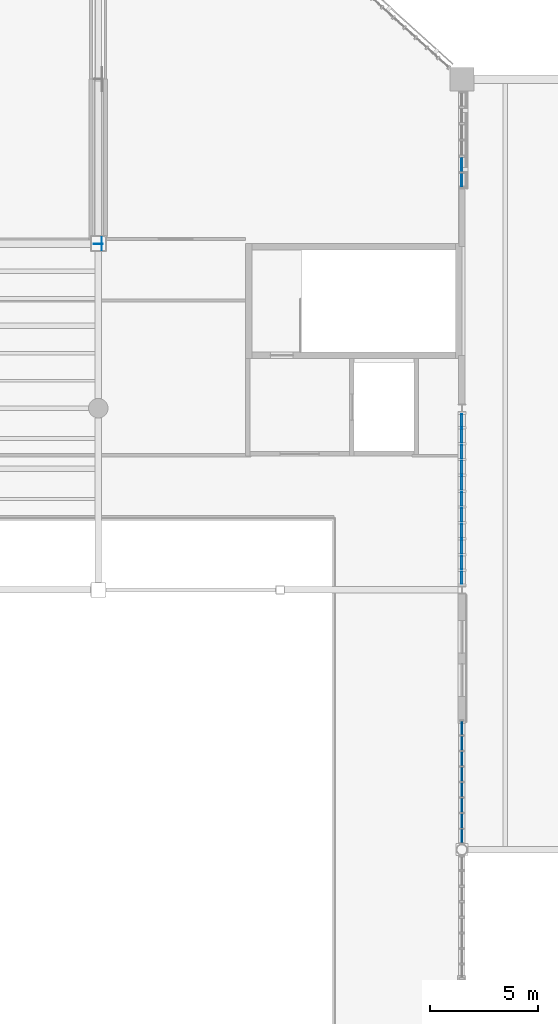
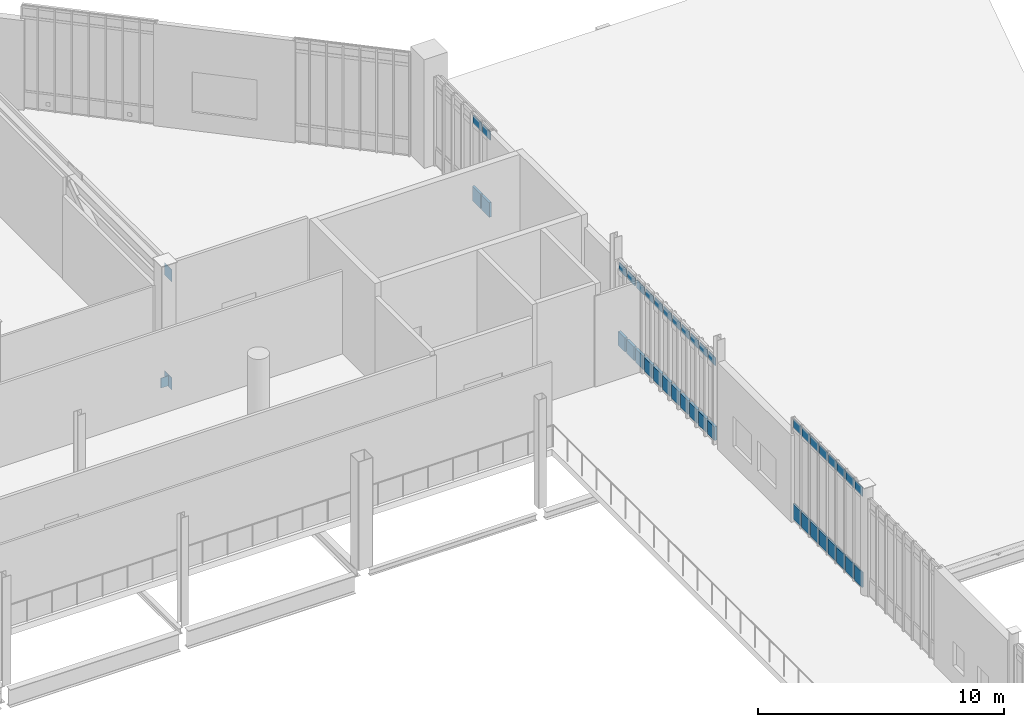
# One storey, part 101 of 135: 45 plates, 3 elements without a shape of their own.
"""IFC4 building model written with IfcOpenShell, lengths in metres."""

from ifc_helpers import new_model, si_unit, direction, frame, origin, origin_2d, place, context, subcontext, project, spatial, rectangle, extrude, material, layer, layer_set, type_object, element, aggregate, save


model = new_model("IFC4")

# Units and contexts
model_context = context("Model", 3, precision=1e-05, world=origin(), true_north=direction((0.0, 1.0)))
body_context = subcontext(model_context, "Body", "Model", "MODEL_VIEW")
ifc_project = project(units=[si_unit("LENGTHUNIT", "METRE"), si_unit("AREAUNIT", "SQUARE_METRE"), si_unit("VOLUMEUNIT", "CUBIC_METRE"), si_unit("PLANEANGLEUNIT", "RADIAN"), si_unit("MASSUNIT", "GRAM", prefix="KILO")], contexts=[model_context])

# Site, building, storey
site_placement = place(None, origin())
site = spatial("IfcSite", under=ifc_project, at=site_placement, CompositionType="ELEMENT")
building_placement = place(site_placement, origin())
building = spatial("IfcBuilding", under=site, at=building_placement, Name="Larkvane Passage Sports Hall", CompositionType="ELEMENT")
storey_placement = place(building_placement, frame((0.0, 0.0, 16.800048828125)))
storey = spatial("IfcBuildingStorey", under=building, at=storey_placement, Name="L03", CompositionType="ELEMENT", Elevation=16.800048828125)

# Curtain wall, plates
ifc_material_1 = material(Name="Thermally broken aluminium and low-E glazing", Category="aluminium")
curtain_wall_type_1 = type_object("IfcCurtainWallType", Name="CW-STICK-FOYER", PredefinedType="USERDEFINED", material=ifc_material_1)
curtain_wall_1_placement = place(storey_placement, origin())
curtain_wall_1 = element("IfcCurtainWall", 1, at=curtain_wall_1_placement, inside=storey, type_object=curtain_wall_type_1, Name="Curtain wall CW5-L03-142", ObjectType="STICK CURTAIN WALL", PredefinedType="USERDEFINED")
ifc_material_2 = material(Name="Fire-stopped shadow-box spandrel panel")
ifc_layer_1 = layer(ifc_material_2, 0.10498046875)
ifc_layer_set_1 = layer_set([ifc_layer_1], Name="Fire-stopped shadow-box spandrel panel")
plate_type_1 = type_object("IfcPlateType", Name="CWP-SPD-105", PredefinedType="CURTAIN_PANEL", material=ifc_layer_set_1)
plate_1_placement = place(storey_placement, frame((93.60009765625, 95.263427734375, 0.080078125), z_axis=(0.0, 0.0, 1.0), x_axis=(0.0, -1.0, 0.0)))
plate_1 = element("IfcPlate", 2, at=plate_1_placement, type_object=plate_type_1, Name="CW-03 panel 5.1", PredefinedType="CURTAIN_PANEL", context=body_context, shape_type="SweptSolid", body=[
    extrude(rectangle(XDim=0.67333984375, YDim=0.10498046875, at=origin_2d()), origin(), (0.0, 0.0, 1.0), 0.72998046875),
])
plate_2_placement = place(storey_placement, frame((93.60009765625, 94.530029296875, 0.080078125), z_axis=(0.0, 0.0, 1.0), x_axis=(0.0, -1.0, 0.0)))
plate_2 = element("IfcPlate", 3, at=plate_2_placement, type_object=plate_type_1, Name="CW-03 panel 6.1", PredefinedType="CURTAIN_PANEL", context=body_context, shape_type="SweptSolid", body=[
    extrude(rectangle(XDim=0.633544921875, YDim=0.10498046875, at=origin_2d()), origin(), (0.0, 0.0, 1.0), 0.72998046875),
])

curtain_wall_type_2 = type_object("IfcCurtainWallType", Name="CW-CLINIC", PredefinedType="USERDEFINED", material=ifc_material_1)
curtain_wall_2_placement = place(storey_placement, origin())
curtain_wall_2 = element("IfcCurtainWall", 4, at=curtain_wall_2_placement, inside=storey, type_object=curtain_wall_type_2, Name="Curtain wall CW5-L03-143", ObjectType="UNITISED CURTAIN WALL", PredefinedType="USERDEFINED")
ifc_material_3 = material(Name="Deep insulated facade spandrel panel")
ifc_layer_2 = layer(ifc_material_3, 0.125)
ifc_layer_set_2 = layer_set([ifc_layer_2], Name="Deep insulated facade spandrel panel")
plate_type_2 = type_object("IfcPlateType", Name="CWP-SPD-125", PredefinedType="CURTAIN_PANEL", material=ifc_layer_set_2)
plate_3_placement = place(storey_placement, frame((93.60009765625, 83.435302734375, 0.10986328125), z_axis=(0.0, 0.0, 1.0), x_axis=(0.0, -1.0, 0.0)))
plate_3 = element("IfcPlate", 5, at=plate_3_placement, type_object=plate_type_2, Name="CW-05 panel 1.1", PredefinedType="CURTAIN_PANEL", context=body_context, shape_type="SweptSolid", body=[
    extrude(rectangle(XDim=0.567626953125, YDim=0.125, at=origin_2d()), origin(), (0.0, 0.0, 1.0), 0.68505859375),
])
plate_4_placement = place(storey_placement, frame((93.60009765625, 82.730224609375, 0.10986328125), z_axis=(0.0, 0.0, 1.0), x_axis=(0.0, -1.0, 0.0)))
plate_4 = element("IfcPlate", 6, at=plate_4_placement, type_object=plate_type_2, Name="CW-05 panel 2.1", PredefinedType="CURTAIN_PANEL", context=body_context, shape_type="SweptSolid", body=[
    extrude(rectangle(XDim=0.62255859375, YDim=0.125, at=origin_2d()), origin(), (0.0, 0.0, 1.0), 0.68505859375),
])
plate_5_placement = place(storey_placement, frame((93.60009765625, 81.99755859375, 0.10986328125), z_axis=(0.0, 0.0, 1.0), x_axis=(0.0, -1.0, 0.0)))
plate_5 = element("IfcPlate", 7, at=plate_5_placement, type_object=plate_type_2, Name="CW-05 panel 3.1", PredefinedType="CURTAIN_PANEL", context=body_context, shape_type="SweptSolid", body=[
    extrude(rectangle(XDim=0.62255859375, YDim=0.125, at=origin_2d()), origin(), (0.0, 0.0, 1.0), 0.68505859375),
])
plate_6_placement = place(storey_placement, frame((93.60009765625, 81.26513671875, 0.10986328125), z_axis=(0.0, 0.0, 1.0), x_axis=(0.0, -1.0, 0.0)))
plate_6 = element("IfcPlate", 8, at=plate_6_placement, type_object=plate_type_2, Name="CW-05 panel 4.1", PredefinedType="CURTAIN_PANEL", context=body_context, shape_type="SweptSolid", body=[
    extrude(rectangle(XDim=0.62255859375, YDim=0.125, at=origin_2d()), origin(), (0.0, 0.0, 1.0), 0.68505859375),
])
plate_7_placement = place(storey_placement, frame((93.60009765625, 80.532470703125, 0.10986328125), z_axis=(0.0, 0.0, 1.0), x_axis=(0.0, -1.0, 0.0)))
plate_7 = element("IfcPlate", 9, at=plate_7_placement, type_object=plate_type_2, Name="CW-05 panel 5.1", PredefinedType="CURTAIN_PANEL", context=body_context, shape_type="SweptSolid", body=[
    extrude(rectangle(XDim=0.62255859375, YDim=0.125, at=origin_2d()), origin(), (0.0, 0.0, 1.0), 0.68505859375),
])
plate_8_placement = place(storey_placement, frame((93.60009765625, 79.800048828125, 0.10986328125), z_axis=(0.0, 0.0, 1.0), x_axis=(0.0, -1.0, 0.0)))
plate_8 = element("IfcPlate", 10, at=plate_8_placement, type_object=plate_type_2, Name="CW-05 panel 6.1", PredefinedType="CURTAIN_PANEL", context=body_context, shape_type="SweptSolid", body=[
    extrude(rectangle(XDim=0.62255859375, YDim=0.125, at=origin_2d()), origin(), (0.0, 0.0, 1.0), 0.68505859375),
])
plate_9_placement = place(storey_placement, frame((93.60009765625, 79.0673828125, 0.10986328125), z_axis=(0.0, 0.0, 1.0), x_axis=(0.0, -1.0, 0.0)))
plate_9 = element("IfcPlate", 11, at=plate_9_placement, type_object=plate_type_2, Name="CW-05 panel 7.1", PredefinedType="CURTAIN_PANEL", context=body_context, shape_type="SweptSolid", body=[
    extrude(rectangle(XDim=0.62255859375, YDim=0.125, at=origin_2d()), origin(), (0.0, 0.0, 1.0), 0.68505859375),
])
plate_10_placement = place(storey_placement, frame((93.60009765625, 78.3349609375, 0.10986328125), z_axis=(0.0, 0.0, 1.0), x_axis=(0.0, -1.0, 0.0)))
plate_10 = element("IfcPlate", 12, at=plate_10_placement, type_object=plate_type_2, Name="CW-05 panel 8.1", PredefinedType="CURTAIN_PANEL", context=body_context, shape_type="SweptSolid", body=[
    extrude(rectangle(XDim=0.62255859375, YDim=0.125, at=origin_2d()), origin(), (0.0, 0.0, 1.0), 0.68505859375),
])
plate_11_placement = place(storey_placement, frame((93.60009765625, 77.602294921875, 0.10986328125), z_axis=(0.0, 0.0, 1.0), x_axis=(0.0, -1.0, 0.0)))
plate_11 = element("IfcPlate", 13, at=plate_11_placement, type_object=plate_type_2, Name="CW-05 panel 9.1", PredefinedType="CURTAIN_PANEL", context=body_context, shape_type="SweptSolid", body=[
    extrude(rectangle(XDim=0.62255859375, YDim=0.125, at=origin_2d()), origin(), (0.0, 0.0, 1.0), 0.68505859375),
])
plate_12_placement = place(storey_placement, frame((93.60009765625, 76.869873046875, 0.10986328125), z_axis=(0.0, 0.0, 1.0), x_axis=(0.0, -1.0, 0.0)))
plate_12 = element("IfcPlate", 14, at=plate_12_placement, type_object=plate_type_2, Name="CW-05 panel 10.1", PredefinedType="CURTAIN_PANEL", context=body_context, shape_type="SweptSolid", body=[
    extrude(rectangle(XDim=0.62255859375, YDim=0.125, at=origin_2d()), origin(), (0.0, 0.0, 1.0), 0.68505859375),
])
plate_13_placement = place(storey_placement, frame((93.60009765625, 76.164794921875, 0.10986328125), z_axis=(0.0, 0.0, 1.0), x_axis=(0.0, -1.0, 0.0)))
plate_13 = element("IfcPlate", 15, at=plate_13_placement, type_object=plate_type_2, Name="CW-05 panel 11.1", PredefinedType="CURTAIN_PANEL", context=body_context, shape_type="SweptSolid", body=[
    extrude(rectangle(XDim=0.567626953125, YDim=0.125, at=origin_2d()), origin(), (0.0, 0.0, 1.0), 0.68505859375),
])

curtain_wall_type_3 = type_object("IfcCurtainWallType", Name="CW-UNIT-COURT", PredefinedType="USERDEFINED", material=ifc_material_1)
curtain_wall_3_placement = place(storey_placement, origin())
curtain_wall_3 = element("IfcCurtainWall", 16, at=curtain_wall_3_placement, inside=storey, type_object=curtain_wall_type_3, Name="Curtain wall CW5-L03-144", ObjectType="UNITISED CURTAIN WALL", PredefinedType="USERDEFINED")
ifc_material_4 = material(Name="Insulated aluminium spandrel panel", Category="aluminium")
ifc_layer_3 = layer(ifc_material_4, 0.06494140625)
ifc_layer_set_3 = layer_set([ifc_layer_3], Name="Insulated aluminium spandrel panel")
plate_type_3 = type_object("IfcPlateType", Name="CWP-SPD-65", PredefinedType="CURTAIN_PANEL", material=ifc_layer_set_3)
plate_14_placement = place(storey_placement, frame((93.60009765625, 69.224365234375, 0.06494140625), z_axis=(0.0, 0.0, 1.0), x_axis=(0.0, -1.0, 0.0)))
plate_14 = element("IfcPlate", 17, at=plate_14_placement, type_object=plate_type_3, Name="CW-01 panel 1.1", PredefinedType="CURTAIN_PANEL", context=body_context, shape_type="SweptSolid", body=[
    extrude(rectangle(XDim=0.621337890625, YDim=0.06494140625, at=origin_2d()), origin(), (0.0, 0.0, 1.0), 0.75244140625),
])
plate_15_placement = place(storey_placement, frame((93.60009765625, 68.52197265625, 0.06494140625), z_axis=(0.0, 0.0, 1.0), x_axis=(0.0, -1.0, 0.0)))
plate_15 = element("IfcPlate", 18, at=plate_15_placement, type_object=plate_type_3, Name="CW-01 panel 2.1", PredefinedType="CURTAIN_PANEL", context=body_context, shape_type="SweptSolid", body=[
    extrude(rectangle(XDim=0.65380859375, YDim=0.06494140625, at=origin_2d()), origin(), (0.0, 0.0, 1.0), 0.75244140625),
])
plate_16_placement = place(storey_placement, frame((93.60009765625, 67.80322265625, 0.06494140625), z_axis=(0.0, 0.0, 1.0), x_axis=(0.0, -1.0, 0.0)))
plate_16 = element("IfcPlate", 19, at=plate_16_placement, type_object=plate_type_3, Name="CW-01 panel 3.1", PredefinedType="CURTAIN_PANEL", context=body_context, shape_type="SweptSolid", body=[
    extrude(rectangle(XDim=0.65380859375, YDim=0.06494140625, at=origin_2d()), origin(), (0.0, 0.0, 1.0), 0.75244140625),
])
plate_17_placement = place(storey_placement, frame((93.60009765625, 67.08447265625, 0.06494140625), z_axis=(0.0, 0.0, 1.0), x_axis=(0.0, -1.0, 0.0)))
plate_17 = element("IfcPlate", 20, at=plate_17_placement, type_object=plate_type_3, Name="CW-01 panel 4.1", PredefinedType="CURTAIN_PANEL", context=body_context, shape_type="SweptSolid", body=[
    extrude(rectangle(XDim=0.65380859375, YDim=0.06494140625, at=origin_2d()), origin(), (0.0, 0.0, 1.0), 0.75244140625),
])
plate_18_placement = place(storey_placement, frame((93.60009765625, 66.36572265625, 0.06494140625), z_axis=(0.0, 0.0, 1.0), x_axis=(0.0, -1.0, 0.0)))
plate_18 = element("IfcPlate", 21, at=plate_18_placement, type_object=plate_type_3, Name="CW-01 panel 5.1", PredefinedType="CURTAIN_PANEL", context=body_context, shape_type="SweptSolid", body=[
    extrude(rectangle(XDim=0.65380859375, YDim=0.06494140625, at=origin_2d()), origin(), (0.0, 0.0, 1.0), 0.75244140625),
])
plate_19_placement = place(storey_placement, frame((93.60009765625, 65.64697265625, 0.06494140625), z_axis=(0.0, 0.0, 1.0), x_axis=(0.0, -1.0, 0.0)))
plate_19 = element("IfcPlate", 22, at=plate_19_placement, type_object=plate_type_3, Name="CW-01 panel 6.1", PredefinedType="CURTAIN_PANEL", context=body_context, shape_type="SweptSolid", body=[
    extrude(rectangle(XDim=0.65380859375, YDim=0.06494140625, at=origin_2d()), origin(), (0.0, 0.0, 1.0), 0.75244140625),
])
plate_20_placement = place(storey_placement, frame((93.60009765625, 64.92822265625, 0.06494140625), z_axis=(0.0, 0.0, 1.0), x_axis=(0.0, -1.0, 0.0)))
plate_20 = element("IfcPlate", 23, at=plate_20_placement, type_object=plate_type_3, Name="CW-01 panel 7.1", PredefinedType="CURTAIN_PANEL", context=body_context, shape_type="SweptSolid", body=[
    extrude(rectangle(XDim=0.65380859375, YDim=0.06494140625, at=origin_2d()), origin(), (0.0, 0.0, 1.0), 0.75244140625),
])
plate_21_placement = place(storey_placement, frame((93.60009765625, 64.2255859375, 0.06494140625), z_axis=(0.0, 0.0, 1.0), x_axis=(0.0, -1.0, 0.0)))
plate_21 = element("IfcPlate", 24, at=plate_21_placement, type_object=plate_type_3, Name="CW-01 panel 8.1", PredefinedType="CURTAIN_PANEL", context=body_context, shape_type="SweptSolid", body=[
    extrude(rectangle(XDim=0.621337890625, YDim=0.06494140625, at=origin_2d()), origin(), (0.0, 0.0, 1.0), 0.75244140625),
])
ifc_material_5 = material(Name="Solar-control low-E double glazing", Category="glass")
ifc_layer_4 = layer(ifc_material_5, 0.028076171875)
ifc_layer_set_4 = layer_set([ifc_layer_4], Name="Solar-control low-E double glazing")
plate_type_4 = type_object("IfcPlateType", Name="CWP-VIS-28", PredefinedType="CURTAIN_PANEL", material=ifc_layer_set_4)
plate_22_placement = place(storey_placement, frame((93.60009765625, 69.224365234375, 4.58251953125), z_axis=(0.0, 0.0, 1.0), x_axis=(0.0, -1.0, 0.0)))
plate_22 = element("IfcPlate", 25, at=plate_22_placement, type_object=plate_type_4, Name="CW-01 panel 1.3", PredefinedType="CURTAIN_PANEL", context=body_context, shape_type="SweptSolid", body=[
    extrude(rectangle(XDim=0.621337890625, YDim=0.028076171875, at=origin_2d()), origin(), (0.0, 0.0, 1.0), 0.452392578125),
])
plate_23_placement = place(storey_placement, frame((93.60009765625, 68.52197265625, 4.58251953125), z_axis=(0.0, 0.0, 1.0), x_axis=(0.0, -1.0, 0.0)))
plate_23 = element("IfcPlate", 26, at=plate_23_placement, type_object=plate_type_4, Name="CW-01 panel 2.3", PredefinedType="CURTAIN_PANEL", context=body_context, shape_type="SweptSolid", body=[
    extrude(rectangle(XDim=0.65380859375, YDim=0.028076171875, at=origin_2d()), origin(), (0.0, 0.0, 1.0), 0.452392578125),
])
plate_24_placement = place(storey_placement, frame((93.60009765625, 67.80322265625, 4.58251953125), z_axis=(0.0, 0.0, 1.0), x_axis=(0.0, -1.0, 0.0)))
plate_24 = element("IfcPlate", 27, at=plate_24_placement, type_object=plate_type_4, Name="CW-01 panel 3.3", PredefinedType="CURTAIN_PANEL", context=body_context, shape_type="SweptSolid", body=[
    extrude(rectangle(XDim=0.65380859375, YDim=0.028076171875, at=origin_2d()), origin(), (0.0, 0.0, 1.0), 0.452392578125),
])
plate_25_placement = place(storey_placement, frame((93.60009765625, 67.08447265625, 4.58251953125), z_axis=(0.0, 0.0, 1.0), x_axis=(0.0, -1.0, 0.0)))
plate_25 = element("IfcPlate", 28, at=plate_25_placement, type_object=plate_type_4, Name="CW-01 panel 4.3", PredefinedType="CURTAIN_PANEL", context=body_context, shape_type="SweptSolid", body=[
    extrude(rectangle(XDim=0.65380859375, YDim=0.028076171875, at=origin_2d()), origin(), (0.0, 0.0, 1.0), 0.452392578125),
])
plate_26_placement = place(storey_placement, frame((93.60009765625, 66.36572265625, 4.58251953125), z_axis=(0.0, 0.0, 1.0), x_axis=(0.0, -1.0, 0.0)))
plate_26 = element("IfcPlate", 29, at=plate_26_placement, type_object=plate_type_4, Name="CW-01 panel 5.3", PredefinedType="CURTAIN_PANEL", context=body_context, shape_type="SweptSolid", body=[
    extrude(rectangle(XDim=0.65380859375, YDim=0.028076171875, at=origin_2d()), origin(), (0.0, 0.0, 1.0), 0.452392578125),
])
plate_27_placement = place(storey_placement, frame((93.60009765625, 65.64697265625, 4.58251953125), z_axis=(0.0, 0.0, 1.0), x_axis=(0.0, -1.0, 0.0)))
plate_27 = element("IfcPlate", 30, at=plate_27_placement, type_object=plate_type_4, Name="CW-01 panel 6.3", PredefinedType="CURTAIN_PANEL", context=body_context, shape_type="SweptSolid", body=[
    extrude(rectangle(XDim=0.65380859375, YDim=0.028076171875, at=origin_2d()), origin(), (0.0, 0.0, 1.0), 0.452392578125),
])
plate_28_placement = place(storey_placement, frame((93.60009765625, 64.92822265625, 4.58251953125), z_axis=(0.0, 0.0, 1.0), x_axis=(0.0, -1.0, 0.0)))
plate_28 = element("IfcPlate", 31, at=plate_28_placement, type_object=plate_type_4, Name="CW-01 panel 7.3", PredefinedType="CURTAIN_PANEL", context=body_context, shape_type="SweptSolid", body=[
    extrude(rectangle(XDim=0.65380859375, YDim=0.028076171875, at=origin_2d()), origin(), (0.0, 0.0, 1.0), 0.452392578125),
])
plate_29_placement = place(storey_placement, frame((93.60009765625, 64.2255859375, 4.58251953125), z_axis=(0.0, 0.0, 1.0), x_axis=(0.0, -1.0, 0.0)))
plate_29 = element("IfcPlate", 32, at=plate_29_placement, type_object=plate_type_4, Name="CW-01 panel 8.3", PredefinedType="CURTAIN_PANEL", context=body_context, shape_type="SweptSolid", body=[
    extrude(rectangle(XDim=0.621337890625, YDim=0.028076171875, at=origin_2d()), origin(), (0.0, 0.0, 1.0), 0.452392578125),
])
aggregate(curtain_wall_3, [plate_14, plate_22, plate_15, plate_23, plate_16, plate_24, plate_17, plate_25, plate_18, plate_26, plate_19, plate_27, plate_20, plate_28, plate_21, plate_29])

# Plate
ifc_material_6 = material(Name="High-impact court low-E glazing", Category="glass")
ifc_layer_5 = layer(ifc_material_6, 0.035888671875)
ifc_layer_set_5 = layer_set([ifc_layer_5], Name="High-impact court low-E glazing")
plate_type_5 = type_object("IfcPlateType", Name="CWP-VIS-36", PredefinedType="CURTAIN_PANEL", material=ifc_layer_set_5)
plate_30_placement = place(storey_placement, frame((93.60009765625, 95.263427734375, 3.89794921875), z_axis=(0.0, 0.0, 1.0), x_axis=(0.0, -1.0, 0.0)))
plate_30 = element("IfcPlate", 33, at=plate_30_placement, type_object=plate_type_5, Name="CW-03 panel 5.3", PredefinedType="CURTAIN_PANEL", context=body_context, shape_type="SweptSolid", body=[
    extrude(rectangle(XDim=0.67333984375, YDim=0.035888671875, at=origin_2d()), origin(), (0.0, 0.0, 1.0), 0.429931640625),
])

plate_31_placement = place(storey_placement, frame((93.60009765625, 94.530029296875, 3.89794921875), z_axis=(0.0, 0.0, 1.0), x_axis=(0.0, -1.0, 0.0)))
plate_31 = element("IfcPlate", 34, at=plate_31_placement, type_object=plate_type_5, Name="CW-03 panel 6.3", PredefinedType="CURTAIN_PANEL", context=body_context, shape_type="SweptSolid", body=[
    extrude(rectangle(XDim=0.633544921875, YDim=0.035888671875, at=origin_2d()), origin(), (0.0, 0.0, 1.0), 0.429931640625),
])

aggregate(curtain_wall_1, [plate_1, plate_30, plate_2, plate_31])

ifc_material_7 = material(Name="Triple-laminated typhoon glazing", Category="glass")
ifc_layer_6 = layer(ifc_material_7, 0.0419921875)
ifc_layer_set_6 = layer_set([ifc_layer_6], Name="Triple-laminated typhoon glazing")
plate_type_6 = type_object("IfcPlateType", Name="CWP-VIS-42", PredefinedType="CURTAIN_PANEL", material=ifc_layer_set_6)
plate_32_placement = place(storey_placement, frame((93.60009765625, 83.435302734375, 3.82080078125), z_axis=(0.0, 0.0, 1.0), x_axis=(0.0, -1.0, 0.0)))
plate_32 = element("IfcPlate", 35, at=plate_32_placement, type_object=plate_type_6, Name="CW-05 panel 1.3", PredefinedType="CURTAIN_PANEL", context=body_context, shape_type="SweptSolid", body=[
    extrude(rectangle(XDim=0.567626953125, YDim=0.0419921875, at=origin_2d()), origin(), (0.0, 0.0, 1.0), 0.385009765625),
])

plate_33_placement = place(storey_placement, frame((93.60009765625, 82.730224609375, 3.82080078125), z_axis=(0.0, 0.0, 1.0), x_axis=(0.0, -1.0, 0.0)))
plate_33 = element("IfcPlate", 36, at=plate_33_placement, type_object=plate_type_6, Name="CW-05 panel 2.3", PredefinedType="CURTAIN_PANEL", context=body_context, shape_type="SweptSolid", body=[
    extrude(rectangle(XDim=0.62255859375, YDim=0.0419921875, at=origin_2d()), origin(), (0.0, 0.0, 1.0), 0.385009765625),
])

plate_34_placement = place(storey_placement, frame((93.60009765625, 81.99755859375, 3.82080078125), z_axis=(0.0, 0.0, 1.0), x_axis=(0.0, -1.0, 0.0)))
plate_34 = element("IfcPlate", 37, at=plate_34_placement, type_object=plate_type_6, Name="CW-05 panel 3.3", PredefinedType="CURTAIN_PANEL", context=body_context, shape_type="SweptSolid", body=[
    extrude(rectangle(XDim=0.62255859375, YDim=0.0419921875, at=origin_2d()), origin(), (0.0, 0.0, 1.0), 0.385009765625),
])

plate_35_placement = place(storey_placement, frame((93.60009765625, 81.26513671875, 3.82080078125), z_axis=(0.0, 0.0, 1.0), x_axis=(0.0, -1.0, 0.0)))
plate_35 = element("IfcPlate", 38, at=plate_35_placement, type_object=plate_type_6, Name="CW-05 panel 4.3", PredefinedType="CURTAIN_PANEL", context=body_context, shape_type="SweptSolid", body=[
    extrude(rectangle(XDim=0.62255859375, YDim=0.0419921875, at=origin_2d()), origin(), (0.0, 0.0, 1.0), 0.385009765625),
])

plate_36_placement = place(storey_placement, frame((93.60009765625, 80.532470703125, 3.82080078125), z_axis=(0.0, 0.0, 1.0), x_axis=(0.0, -1.0, 0.0)))
plate_36 = element("IfcPlate", 39, at=plate_36_placement, type_object=plate_type_6, Name="CW-05 panel 5.3", PredefinedType="CURTAIN_PANEL", context=body_context, shape_type="SweptSolid", body=[
    extrude(rectangle(XDim=0.62255859375, YDim=0.0419921875, at=origin_2d()), origin(), (0.0, 0.0, 1.0), 0.385009765625),
])

plate_37_placement = place(storey_placement, frame((93.60009765625, 79.800048828125, 3.82080078125), z_axis=(0.0, 0.0, 1.0), x_axis=(0.0, -1.0, 0.0)))
plate_37 = element("IfcPlate", 40, at=plate_37_placement, type_object=plate_type_6, Name="CW-05 panel 6.3", PredefinedType="CURTAIN_PANEL", context=body_context, shape_type="SweptSolid", body=[
    extrude(rectangle(XDim=0.62255859375, YDim=0.0419921875, at=origin_2d()), origin(), (0.0, 0.0, 1.0), 0.385009765625),
])

plate_38_placement = place(storey_placement, frame((93.60009765625, 79.0673828125, 3.82080078125), z_axis=(0.0, 0.0, 1.0), x_axis=(0.0, -1.0, 0.0)))
plate_38 = element("IfcPlate", 41, at=plate_38_placement, type_object=plate_type_6, Name="CW-05 panel 7.3", PredefinedType="CURTAIN_PANEL", context=body_context, shape_type="SweptSolid", body=[
    extrude(rectangle(XDim=0.62255859375, YDim=0.0419921875, at=origin_2d()), origin(), (0.0, 0.0, 1.0), 0.385009765625),
])

plate_39_placement = place(storey_placement, frame((93.60009765625, 78.3349609375, 3.82080078125), z_axis=(0.0, 0.0, 1.0), x_axis=(0.0, -1.0, 0.0)))
plate_39 = element("IfcPlate", 42, at=plate_39_placement, type_object=plate_type_6, Name="CW-05 panel 8.3", PredefinedType="CURTAIN_PANEL", context=body_context, shape_type="SweptSolid", body=[
    extrude(rectangle(XDim=0.62255859375, YDim=0.0419921875, at=origin_2d()), origin(), (0.0, 0.0, 1.0), 0.385009765625),
])

plate_40_placement = place(storey_placement, frame((93.60009765625, 77.602294921875, 3.82080078125), z_axis=(0.0, 0.0, 1.0), x_axis=(0.0, -1.0, 0.0)))
plate_40 = element("IfcPlate", 43, at=plate_40_placement, type_object=plate_type_6, Name="CW-05 panel 9.3", PredefinedType="CURTAIN_PANEL", context=body_context, shape_type="SweptSolid", body=[
    extrude(rectangle(XDim=0.62255859375, YDim=0.0419921875, at=origin_2d()), origin(), (0.0, 0.0, 1.0), 0.385009765625),
])

plate_41_placement = place(storey_placement, frame((93.60009765625, 76.869873046875, 3.82080078125), z_axis=(0.0, 0.0, 1.0), x_axis=(0.0, -1.0, 0.0)))
plate_41 = element("IfcPlate", 44, at=plate_41_placement, type_object=plate_type_6, Name="CW-05 panel 10.3", PredefinedType="CURTAIN_PANEL", context=body_context, shape_type="SweptSolid", body=[
    extrude(rectangle(XDim=0.62255859375, YDim=0.0419921875, at=origin_2d()), origin(), (0.0, 0.0, 1.0), 0.385009765625),
])

plate_42_placement = place(storey_placement, frame((93.60009765625, 76.164794921875, 3.82080078125), z_axis=(0.0, 0.0, 1.0), x_axis=(0.0, -1.0, 0.0)))
plate_42 = element("IfcPlate", 45, at=plate_42_placement, type_object=plate_type_6, Name="CW-05 panel 11.3", PredefinedType="CURTAIN_PANEL", context=body_context, shape_type="SweptSolid", body=[
    extrude(rectangle(XDim=0.567626953125, YDim=0.0419921875, at=origin_2d()), origin(), (0.0, 0.0, 1.0), 0.385009765625),
])

aggregate(curtain_wall_2, [plate_3, plate_32, plate_4, plate_33, plate_5, plate_34, plate_6, plate_35, plate_7, plate_36, plate_8, plate_37, plate_9, plate_38, plate_10, plate_39, plate_11, plate_40, plate_12, plate_41, plate_13, plate_42])

# Plates
ifc_material_8 = material(Name="Steel S460N", Category="steel")
ifc_layer_7 = layer(ifc_material_8, 0.02001953125)
ifc_layer_set_7 = layer_set([ifc_layer_7], Name="Steel S460N")
plate_type_7 = type_object("IfcPlateType", Name="PLT-CAP-20", PredefinedType="SHEET", material=ifc_layer_set_7)
plate_43_placement = place(storey_placement, frame((76.800048828125, 91.591796875, -0.8642578125), z_axis=(0.0, 0.0, 1.0), x_axis=(-1.0, 0.0, 0.0)))
element("IfcPlate", 46, at=plate_43_placement, inside=storey, type_object=plate_type_7, Name="Hollow section sealed end cap plate 0152", PredefinedType="SHEET", context=body_context, shape_type="SweptSolid", body=[
    extrude(rectangle(XDim=0.409912109375, YDim=0.028076171875, at=origin_2d()), origin(), (0.0, 0.0, 1.0), 0.489013671875),
])
ifc_layer_8 = layer(ifc_material_8, 0.01611328125)
ifc_layer_set_8 = layer_set([ifc_layer_8], Name="Steel S460N")
plate_type_8 = type_object("IfcPlateType", Name="PLT-GUS-16", PredefinedType="USERDEFINED", material=ifc_layer_set_8)
for number, where, z_axis, x_axis, name in (
    (47, (76.9580078125, 91.60009765625, -0.9140625), (0.0, 0.0, 1.0), (0.0, 1.0, 0.0), "Truss node gusset plate ND-1B (CT-N3A-2)"),
    (48, (76.9580078125, 91.60009765625, 4.455810546875), (0.0, 0.0, 1.0), (0.0, 1.0, 0.0), "Truss node gusset plate ND-1T (CT-N3A-2)"),
):
    element("IfcPlate", number, at=place(storey_placement, frame(where, z_axis=z_axis, x_axis=x_axis)), inside=storey, type_object=plate_type_8, Name=name, ObjectType="GUSSET PLATE", PredefinedType="USERDEFINED", context=body_context, shape_type="SweptSolid", body=[
        extrude(rectangle(XDim=0.60009765625, YDim=0.01611328125, at=origin_2d()), origin(), (0.0, 0.0, 1.0), 0.60009765625),
    ])

save(model, "model.ifc")
